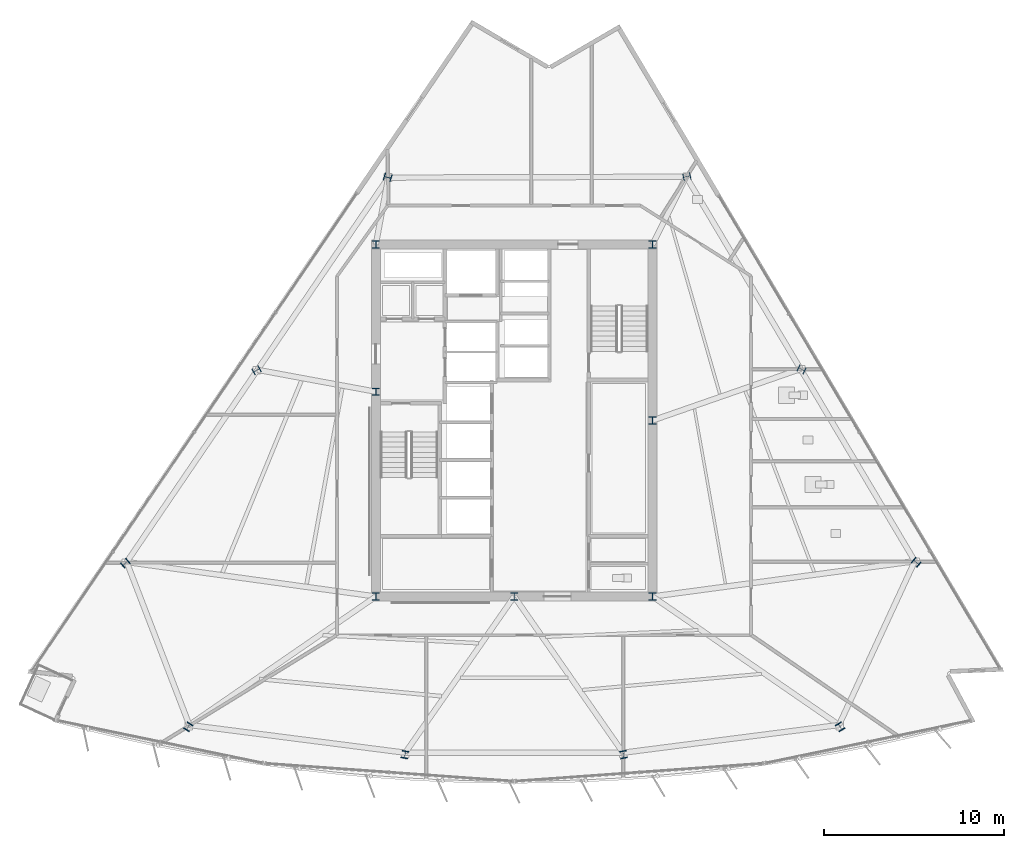
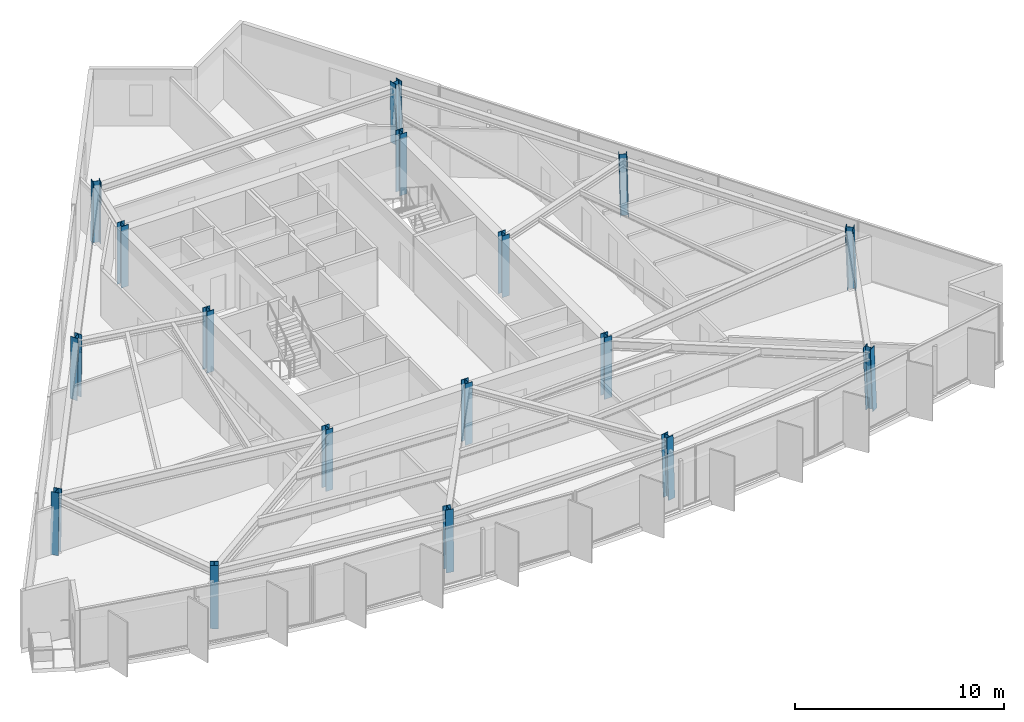
# One storey, part 1 of 15: 17 columns.
"""IFC4 building model written with IfcOpenShell, lengths in metres."""

from ifc_helpers import new_model, si_unit, direction, frame, origin, origin_2d, place, context, subcontext, project, spatial, i_section, extrude, material, material_profile, profile_set, type_object, element, save


model = new_model("IFC4")

# Units and contexts
model_context = context("Model", 3, precision=1e-05, world=origin(), true_north=direction((0.0, 1.0)))
body_context = subcontext(model_context, "Body", "Model", "MODEL_VIEW")
ifc_project = project(units=[si_unit("LENGTHUNIT", "METRE"), si_unit("AREAUNIT", "SQUARE_METRE"), si_unit("VOLUMEUNIT", "CUBIC_METRE"), si_unit("PLANEANGLEUNIT", "RADIAN"), si_unit("MASSUNIT", "GRAM", prefix="KILO")], contexts=[model_context])

# Site, building, storey
site_placement = place(None, origin())
site = spatial("IfcSite", under=ifc_project, at=site_placement, CompositionType="ELEMENT")
building_placement = place(site_placement, origin())
building = spatial("IfcBuilding", under=site, at=building_placement, Name="Savorim Split Tower", CompositionType="ELEMENT")
storey_placement = place(building_placement, frame((0.0, 0.0, 138.60009765625)))
storey = spatial("IfcBuildingStorey", under=building, at=storey_placement, Name="L36", CompositionType="ELEMENT", Elevation=138.60009765625)

# Columns
ifc_material = material(Name="Steel S460", Category="steel")
ifc_material_profile = material_profile(ifc_material, i_section(OverallWidth=0.404052734375, OverallDepth=0.406982421875, WebThickness=0.017333984375, FlangeThickness=0.028076171875, FilletRadius=0.014892578125, at=origin_2d()), Name="HD 400x347")
ifc_profile_set = profile_set([ifc_material_profile], Name="Steel S460")
column_type = type_object("IfcColumnType", Name="COL-HD-347", PredefinedType="COLUMN", material=ifc_profile_set)
for number, where, z_axis, x_axis, name in (
    (1, (-7.699951171875, -9.39990234375, 0.0), (0.0, 0.0, 1.0), (1.0, 0.0, 0.0), "L36 Core Structural Column TC-C1"),
    (2, (7.699951171875, -9.39990234375, 0.0), (0.0, 0.0, 1.0), (1.0, 0.0, 0.0), "L36 Core Structural Column TC-C2"),
    (3, (7.699951171875, 10.199951171875, 0.0), (0.0, 0.0, 1.0), (1.0, 0.0, 0.0), "L36 Core Structural Column TC-C3"),
    (4, (-7.699951171875, 10.199951171875, 0.0), (0.0, 0.0, 1.0), (1.0, 0.0, 0.0), "L36 Core Structural Column TC-C4"),
    (5, (0.0, -9.39990234375, 0.0), (0.0, 0.0, 1.0), (1.0, 0.0, 0.0), "L36 Core Structural Column TC-C5"),
    (6, (7.699951171875, 0.39990234375, 0.0), (0.0, 0.0, 1.0), (1.0, 0.0, 0.0), "L36 Core Structural Column TC-C6"),
    (7, (-7.699951171875, 2.0, 0.0), (0.0, 0.0, 1.0), (1.0, 0.0, 0.0), "L36 Core Structural Column TC-C7"),
):
    element("IfcColumn", number, at=place(storey_placement, frame(where, z_axis=z_axis, x_axis=x_axis)), inside=storey, type_object=column_type, Name=name, PredefinedType="COLUMN", context=body_context, shape_type="SweptSolid", body=[
        extrude(i_section(OverallWidth=0.404052734375, OverallDepth=0.406982421875, WebThickness=0.017333984375, FlangeThickness=0.028076171875, FilletRadius=0.014892578125, at=origin_2d()), origin(), (0.0, 0.0, 1.0), 3.599853515625),
    ])
column_1_placement = place(storey_placement, frame((-18.156982421875, -16.672119140625, 0.00537109375), z_axis=(0.020662787852, 0.03357703026, 0.999222513876), x_axis=(-0.851658316705, 0.524097425664, 0.0)))
element("IfcColumn", 8, at=column_1_placement, inside=storey, type_object=column_type, Name="L36 Tapered Perimeter Column PC-S1", PredefinedType="COLUMN", context=body_context, shape_type="SweptSolid", body=[
    extrude(i_section(OverallWidth=0.404052734375, OverallDepth=0.406982421875, WebThickness=0.017333984375, FlangeThickness=0.028076171875, FilletRadius=0.014892578125, at=origin_2d()), origin(), (0.0, 0.0, 1.0), 3.591796875),
])
for number, where, z_axis, x_axis, name in (
    (9, (-6.085205078125, -18.221923828125, 0.00537109375), (0.006865841702, 0.035280909339, 0.999353850072), (-0.981585848295, 0.191021523464, 0.0), "L36 Tapered Perimeter Column PC-S2"),
    (10, (6.085205078125, -18.221923828125, 0.00537109375), (-0.006865841702, 0.035280909339, 0.999353850072), (-0.981585848295, -0.191021523464, 0.0), "L36 Tapered Perimeter Column PC-S3"),
):
    element("IfcColumn", number, at=place(storey_placement, frame(where, z_axis=z_axis, x_axis=x_axis)), inside=storey, type_object=column_type, Name=name, PredefinedType="COLUMN", context=body_context, shape_type="SweptSolid", body=[
        extrude(i_section(OverallWidth=0.404052734375, OverallDepth=0.406982421875, WebThickness=0.017333984375, FlangeThickness=0.028076171875, FilletRadius=0.014892578125, at=origin_2d()), origin(), (0.0, 0.0, 1.0), 3.591552734375),
    ])
column_2_placement = place(storey_placement, frame((18.156982421875, -16.672119140625, 0.00537109375), z_axis=(-0.020662787852, 0.03357703026, 0.999222513876), x_axis=(-0.851658316705, -0.524097425664, 0.0)))
element("IfcColumn", 11, at=column_2_placement, inside=storey, type_object=column_type, Name="L36 Tapered Perimeter Column PC-S4", PredefinedType="COLUMN", context=body_context, shape_type="SweptSolid", body=[
    extrude(i_section(OverallWidth=0.404052734375, OverallDepth=0.406982421875, WebThickness=0.017333984375, FlangeThickness=0.028076171875, FilletRadius=0.014892578125, at=origin_2d()), origin(), (0.0, 0.0, 1.0), 3.591796875),
])
column_3_placement = place(storey_placement, frame((22.394287109375, -7.510498046875, 0.00537109375), z_axis=(-0.026037763904, 0.021550838532, 0.999428634876), x_axis=(-0.637608877662, -0.770360252821, 0.0)))
element("IfcColumn", 12, at=column_3_placement, inside=storey, type_object=column_type, Name="L36 Tapered Perimeter Column PC-E1", PredefinedType="COLUMN", context=body_context, shape_type="SweptSolid", body=[
    extrude(i_section(OverallWidth=0.404052734375, OverallDepth=0.406982421875, WebThickness=0.017333984375, FlangeThickness=0.028076171875, FilletRadius=0.014892578125, at=origin_2d()), origin(), (0.0, 0.0, 1.0), 3.591064453125),
])
column_4_placement = place(storey_placement, frame((16.00634765625, 3.232666015625, 0.00537109375), z_axis=(-0.018974023902, 0.009521015578, 0.999774642947), x_axis=(-0.44849454954, -0.893785566583, 0.0)))
element("IfcColumn", 13, at=column_4_placement, inside=storey, type_object=column_type, Name="L36 Tapered Perimeter Column PC-E2", PredefinedType="COLUMN", context=body_context, shape_type="SweptSolid", body=[
    extrude(i_section(OverallWidth=0.404052734375, OverallDepth=0.406982421875, WebThickness=0.017333984375, FlangeThickness=0.028076171875, FilletRadius=0.014892578125, at=origin_2d()), origin(), (0.0, 0.0, 1.0), 3.58984375),
])
for number, where, z_axis, x_axis, name in (
    (14, (9.6181640625, 13.975830078125, 0.00537109375), (-0.011767054935, -0.002516653368, 0.999927598816), (0.209143047003, -0.977885057607, 0.0), "L36 Tapered Perimeter Column PC-E3"),
    (15, (-7.041748046875, 13.927001953125, 0.00537109375), (0.008774547672, -0.002516730728, 0.999958335822), (0.275705143097, 0.961242255662, 0.0), "L36 Tapered Perimeter Column PC-W1"),
):
    element("IfcColumn", number, at=place(storey_placement, frame(where, z_axis=z_axis, x_axis=x_axis)), inside=storey, type_object=column_type, Name=name, PredefinedType="COLUMN", context=body_context, shape_type="SweptSolid", body=[
        extrude(i_section(OverallWidth=0.404052734375, OverallDepth=0.406982421875, WebThickness=0.017333984375, FlangeThickness=0.028076171875, FilletRadius=0.014892578125, at=origin_2d()), origin(), (0.0, 0.0, 1.0), 3.58935546875),
    ])
column_5_placement = place(storey_placement, frame((-14.35009765625, 3.183837890625, 0.00537109375), z_axis=(0.01700241672, 0.009521353363, 0.999810112799), x_axis=(-0.488603368932, 0.87250601595, 0.0)))
element("IfcColumn", 16, at=column_5_placement, inside=storey, type_object=column_type, Name="L36 Tapered Perimeter Column PC-W2", PredefinedType="COLUMN", context=body_context, shape_type="SweptSolid", body=[
    extrude(i_section(OverallWidth=0.404052734375, OverallDepth=0.406982421875, WebThickness=0.017333984375, FlangeThickness=0.028076171875, FilletRadius=0.014892578125, at=origin_2d()), origin(), (0.0, 0.0, 1.0), 3.58984375),
])
column_6_placement = place(storey_placement, frame((-21.65869140625, -7.559326171875, 0.00537109375), z_axis=(0.025222449659, 0.021619242565, 0.999448065876), x_axis=(-0.650791373456, 0.759256602365, 0.0)))
element("IfcColumn", 17, at=column_6_placement, inside=storey, type_object=column_type, Name="L36 Tapered Perimeter Column PC-W3", PredefinedType="COLUMN", context=body_context, shape_type="SweptSolid", body=[
    extrude(i_section(OverallWidth=0.404052734375, OverallDepth=0.406982421875, WebThickness=0.017333984375, FlangeThickness=0.028076171875, FilletRadius=0.014892578125, at=origin_2d()), origin(), (0.0, 0.0, 1.0), 3.591064453125),
])

save(model, "model.ifc")
